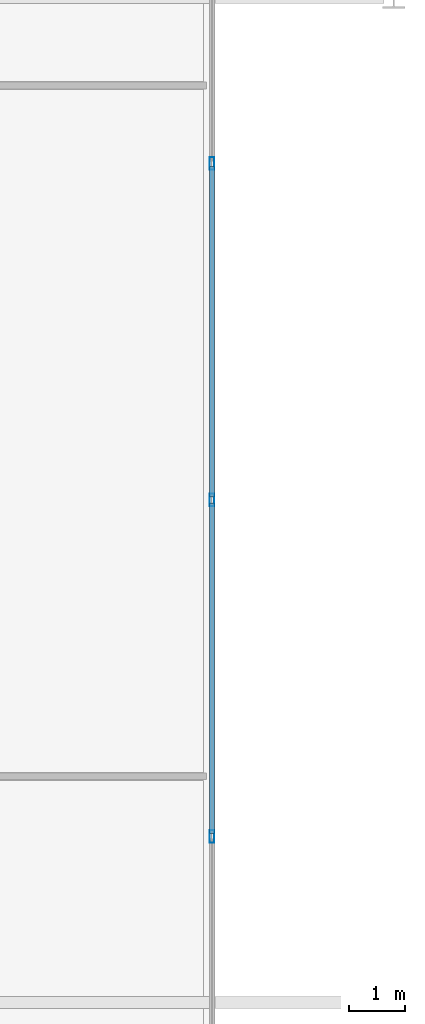
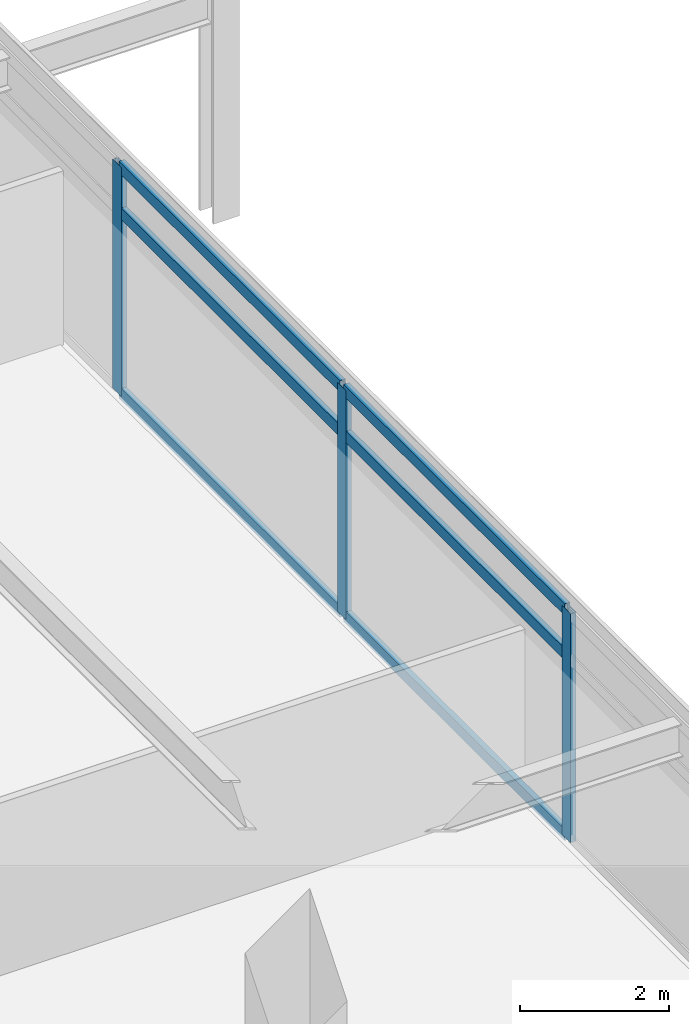
# One storey, part 4 of 21: 9 members, 1 element without a shape of its own.
"""IFC4 building model written with IfcOpenShell, lengths in metres."""

from ifc_helpers import new_model, si_unit, direction, frame, origin, origin_2d, place, context, subcontext, project, spatial, hollow_rectangle, extrude, material, material_profile, profile_set, type_object, element, aggregate, save


model = new_model("IFC4")

# Units and contexts
model_context = context("Model", 3, precision=1e-05, world=origin(), true_north=direction((0.0, 1.0)))
body_context = subcontext(model_context, "Body", "Model", "MODEL_VIEW")
ifc_project = project(units=[si_unit("LENGTHUNIT", "METRE"), si_unit("AREAUNIT", "SQUARE_METRE"), si_unit("VOLUMEUNIT", "CUBIC_METRE"), si_unit("PLANEANGLEUNIT", "RADIAN"), si_unit("MASSUNIT", "GRAM", prefix="KILO")], contexts=[model_context])

# Site, building, storey
site_placement = place(None, origin())
site = spatial("IfcSite", under=ifc_project, at=site_placement, CompositionType="ELEMENT")
building_placement = place(site_placement, origin())
building = spatial("IfcBuilding", under=site, at=building_placement, Name="Kovane Verandah Tower", CompositionType="ELEMENT")
storey_placement = place(building_placement, frame((0.0, 0.0, 310.800048828125)))
storey = spatial("IfcBuildingStorey", under=building, at=storey_placement, Name="L72", CompositionType="ELEMENT", Elevation=310.800048828125)

# Curtain wall, members
ifc_material_1 = material(Name="Champagne Anodised Aluminium Frame with Low-E Clear Laminated Glass", Category="aluminium")
curtain_wall_type = type_object("IfcCurtainWallType", Name="CW-SYS-05-HIGH", PredefinedType="NOTDEFINED", material=ifc_material_1)
curtain_wall_placement = place(storey_placement, origin())
curtain_wall = element("IfcCurtainWall", 1, at=curtain_wall_placement, inside=storey, type_object=curtain_wall_type, Name="L72 E Unitised Curtain Wall", PredefinedType="NOTDEFINED")
ifc_material_2 = material(Name="Champagne Anodised Aluminium 6063-T6", Category="aluminium")
ifc_material_profile_1 = material_profile(ifc_material_2, hollow_rectangle(XDim=0.0849609375, YDim=0.22998046875, WallThickness=0.00390625, at=origin_2d()), Name="AL85x230x4")
ifc_profile_set_1 = profile_set([ifc_material_profile_1], Name="Champagne Anodised Aluminium 6063-T6")
member_type_1 = type_object("IfcMemberType", Name="CW-MUL-85x230", PredefinedType="MULLION", material=ifc_profile_set_1)
member_1_placement = place(storey_placement, frame((64.344482421875, 21.475830078125, 0.02001953125), z_axis=(0.0, 0.0, 1.0), x_axis=(1.0, 0.0, 0.0)))
member_1 = element("IfcMember", 2, at=member_1_placement, type_object=member_type_1, Name="L72 E Unitised Curtain Wall Mullion 3", PredefinedType="MULLION", context=body_context, shape_type="SweptSolid", body=[
    extrude(hollow_rectangle(XDim=0.0849609375, YDim=0.22998046875, WallThickness=0.00390625, at=origin_2d()), origin(), (0.0, 0.0, 1.0), 3.744873046875),
])
member_2_placement = place(storey_placement, frame((64.344482421875, 27.5, 0.02001953125), z_axis=(0.0, 0.0, 1.0), x_axis=(1.0, 0.0, 0.0)))
member_2 = element("IfcMember", 3, at=member_2_placement, type_object=member_type_1, Name="L72 E Unitised Curtain Wall Mullion 4", PredefinedType="MULLION", context=body_context, shape_type="SweptSolid", body=[
    extrude(hollow_rectangle(XDim=0.0849609375, YDim=0.22998046875, WallThickness=0.00390625, at=origin_2d()), origin(), (0.0, 0.0, 1.0), 3.744873046875),
])
member_3_placement = place(storey_placement, frame((64.344482421875, 33.524169921875, 0.02001953125), z_axis=(0.0, 0.0, 1.0), x_axis=(1.0, 0.0, 0.0)))
member_3 = element("IfcMember", 4, at=member_3_placement, type_object=member_type_1, Name="L72 E Unitised Curtain Wall Mullion 5", PredefinedType="MULLION", context=body_context, shape_type="SweptSolid", body=[
    extrude(hollow_rectangle(XDim=0.0849609375, YDim=0.22998046875, WallThickness=0.00390625, at=origin_2d()), origin(), (0.0, 0.0, 1.0), 3.744873046875),
])
ifc_material_profile_2 = material_profile(ifc_material_2, hollow_rectangle(XDim=0.0849609375, YDim=0.18994140625, WallThickness=0.00390625, at=origin_2d()), Name="AL85x190x4")
ifc_profile_set_2 = profile_set([ifc_material_profile_2], Name="Champagne Anodised Aluminium 6063-T6")
member_type_2 = type_object("IfcMemberType", Name="CW-TRN-85x190", PredefinedType="USERDEFINED", material=ifc_profile_set_2)
member_4_placement = place(storey_placement, frame((64.344482421875, 21.52587890625, 0.050048828125), z_axis=(0.0, 1.0, 0.0), x_axis=(-1.0, 0.0, 0.0)))
member_4 = element("IfcMember", 5, at=member_4_placement, type_object=member_type_2, Name="L72 E Unitised Curtain Wall Transom TB Bay 3", ObjectType="TRANSOM", PredefinedType="USERDEFINED", context=body_context, shape_type="SweptSolid", body=[
    extrude(hollow_rectangle(XDim=0.0849609375, YDim=0.18994140625, WallThickness=0.00390625, at=origin_2d()), origin(), (0.0, 0.0, 1.0), 5.924072265625),
])
member_5_placement = place(storey_placement, frame((64.344482421875, 21.52587890625, 3.0048828125), z_axis=(0.0, 1.0, 0.0), x_axis=(-1.0, 0.0, 0.0)))
member_5 = element("IfcMember", 6, at=member_5_placement, type_object=member_type_2, Name="L72 E Unitised Curtain Wall Transom TM Bay 3", ObjectType="TRANSOM", PredefinedType="USERDEFINED", context=body_context, shape_type="SweptSolid", body=[
    extrude(hollow_rectangle(XDim=0.0849609375, YDim=0.18994140625, WallThickness=0.00390625, at=origin_2d()), origin(), (0.0, 0.0, 1.0), 5.924072265625),
])
member_6_placement = place(storey_placement, frame((64.344482421875, 21.52587890625, 3.73486328125), z_axis=(0.0, 1.0, 0.0), x_axis=(-1.0, 0.0, 0.0)))
member_6 = element("IfcMember", 7, at=member_6_placement, type_object=member_type_2, Name="L72 E Unitised Curtain Wall Transom TT Bay 3", ObjectType="TRANSOM", PredefinedType="USERDEFINED", context=body_context, shape_type="SweptSolid", body=[
    extrude(hollow_rectangle(XDim=0.0849609375, YDim=0.18994140625, WallThickness=0.00390625, at=origin_2d()), origin(), (0.0, 0.0, 1.0), 5.924072265625),
])
member_7_placement = place(storey_placement, frame((64.344482421875, 27.550048828125, 0.050048828125), z_axis=(0.0, 1.0, 0.0), x_axis=(-1.0, 0.0, 0.0)))
member_7 = element("IfcMember", 8, at=member_7_placement, type_object=member_type_2, Name="L72 E Unitised Curtain Wall Transom TB Bay 4", ObjectType="TRANSOM", PredefinedType="USERDEFINED", context=body_context, shape_type="SweptSolid", body=[
    extrude(hollow_rectangle(XDim=0.0849609375, YDim=0.18994140625, WallThickness=0.00390625, at=origin_2d()), origin(), (0.0, 0.0, 1.0), 5.924072265625),
])
member_8_placement = place(storey_placement, frame((64.344482421875, 27.550048828125, 3.0048828125), z_axis=(0.0, 1.0, 0.0), x_axis=(-1.0, 0.0, 0.0)))
member_8 = element("IfcMember", 9, at=member_8_placement, type_object=member_type_2, Name="L72 E Unitised Curtain Wall Transom TM Bay 4", ObjectType="TRANSOM", PredefinedType="USERDEFINED", context=body_context, shape_type="SweptSolid", body=[
    extrude(hollow_rectangle(XDim=0.0849609375, YDim=0.18994140625, WallThickness=0.00390625, at=origin_2d()), origin(), (0.0, 0.0, 1.0), 5.924072265625),
])
member_9_placement = place(storey_placement, frame((64.344482421875, 27.550048828125, 3.73486328125), z_axis=(0.0, 1.0, 0.0), x_axis=(-1.0, 0.0, 0.0)))
member_9 = element("IfcMember", 10, at=member_9_placement, type_object=member_type_2, Name="L72 E Unitised Curtain Wall Transom TT Bay 4", ObjectType="TRANSOM", PredefinedType="USERDEFINED", context=body_context, shape_type="SweptSolid", body=[
    extrude(hollow_rectangle(XDim=0.0849609375, YDim=0.18994140625, WallThickness=0.00390625, at=origin_2d()), origin(), (0.0, 0.0, 1.0), 5.924072265625),
])
aggregate(curtain_wall, [member_1, member_2, member_3, member_4, member_5, member_6, member_7, member_8, member_9])

save(model, "model.ifc")
